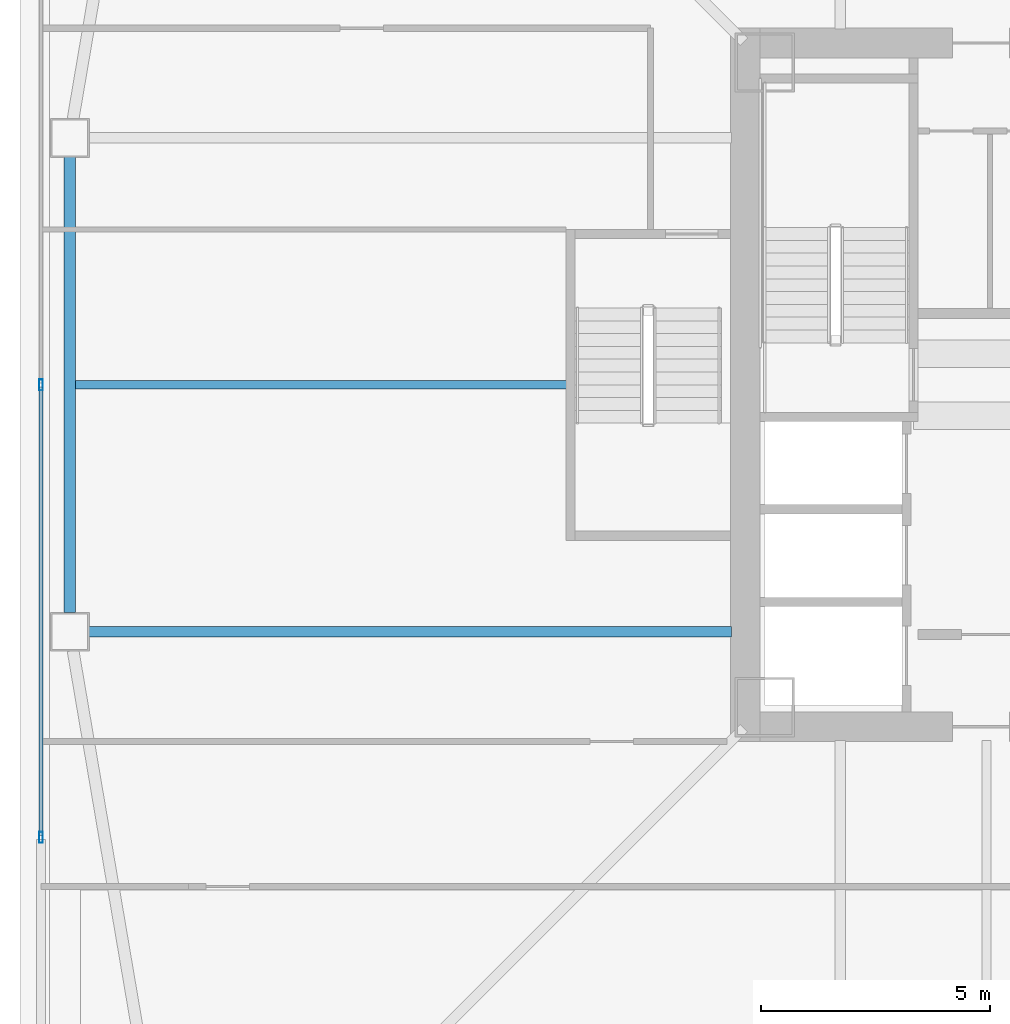
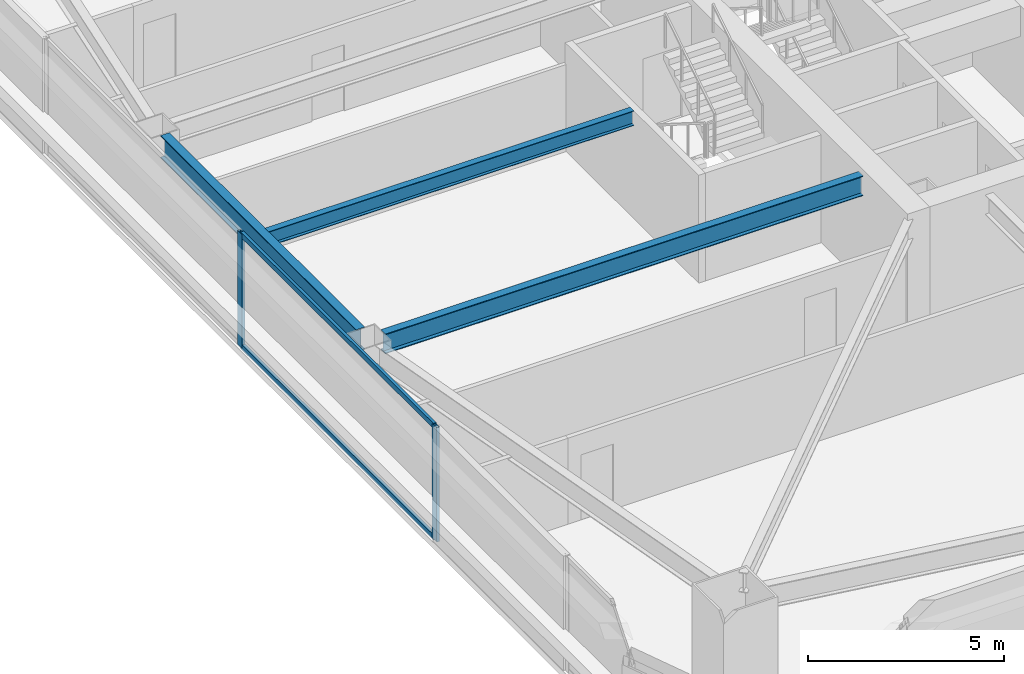
# One storey, part 7 of 48: 4 members, 3 beams, 1 element without a shape of its own.
"""IFC4 building model written with IfcOpenShell, lengths in metres."""

from ifc_helpers import new_model, si_unit, direction, frame, origin, origin_2d, place, context, subcontext, project, spatial, hollow_rectangle, i_section, extrude, material, material_profile, profile_set, type_object, element, aggregate, save


model = new_model("IFC4")

# Units and contexts
model_context = context("Model", 3, precision=1e-05, world=origin(), true_north=direction((0.0, 1.0)))
body_context = subcontext(model_context, "Body", "Model", "MODEL_VIEW")
ifc_project = project(units=[si_unit("LENGTHUNIT", "METRE"), si_unit("AREAUNIT", "SQUARE_METRE"), si_unit("VOLUMEUNIT", "CUBIC_METRE"), si_unit("PLANEANGLEUNIT", "RADIAN"), si_unit("MASSUNIT", "GRAM", prefix="KILO")], contexts=[model_context])

# Site, building, storey
site_placement = place(None, origin())
site = spatial("IfcSite", under=ifc_project, at=site_placement, CompositionType="ELEMENT")
building_placement = place(site_placement, origin())
building = spatial("IfcBuilding", under=site, at=building_placement, Name="Tashvorn Skyway Center", CompositionType="ELEMENT")
storey_placement = place(building_placement, frame((0.0, 0.0, 53.0)))
storey = spatial("IfcBuildingStorey", under=building, at=storey_placement, Name="L13", CompositionType="ELEMENT", Elevation=53.0)

# Beams
ifc_material_1 = material(Name="Steel ASTM A992 Grade 50", Category="steel")
ifc_material_profile_1 = material_profile(ifc_material_1, i_section(OverallWidth=0.22998046875, OverallDepth=0.616943359375, WebThickness=0.01318359375, FlangeThickness=0.022216796875, at=origin_2d()), Name="W24X94")
ifc_profile_set_1 = profile_set([ifc_material_profile_1], Name="Steel ASTM A992 Grade 50")
beam_type_1 = type_object("IfcBeamType", Name="BM-BEAM-W24X94", PredefinedType="BEAM", material=ifc_profile_set_1)
beam_1_placement = place(storey_placement, frame((20.169921875, 26.60009765625, 3.04150390625), z_axis=(1.0, 0.0, 0.0), x_axis=(0.0, 1.0, 0.0)))
element("IfcBeam", 1, at=beam_1_placement, inside=storey, type_object=beam_type_1, Name="Tower 1 L13 Primary Floor Girder FC-W2", PredefinedType="BEAM", context=body_context, shape_type="SweptSolid", body=[
    extrude(i_section(OverallWidth=0.22998046875, OverallDepth=0.616943359375, WebThickness=0.01318359375, FlangeThickness=0.022216796875, at=origin_2d()), origin(), (0.0, 0.0, 1.0), 14.050048828125),
])
ifc_material_profile_2 = material_profile(ifc_material_1, i_section(OverallWidth=0.19091796875, OverallDepth=0.4599609375, WebThickness=0.010009765625, FlangeThickness=0.01611328125, at=origin_2d()), Name="W18X55")
ifc_profile_set_2 = profile_set([ifc_material_profile_2], Name="Steel ASTM A992 Grade 50")
beam_type_2 = type_object("IfcBeamType", Name="BM-JOIST-W18X55", PredefinedType="JOIST", material=ifc_profile_set_2)
beam_2_placement = place(storey_placement, frame((30.610107421875, 32.0, 3.1201171875), z_axis=(-1.0, 0.0, 0.0), x_axis=(0.0, -1.0, 0.0)))
element("IfcBeam", 2, at=beam_2_placement, inside=storey, type_object=beam_type_2, Name="Tower 1 L13 Secondary Composite Joist JW", PredefinedType="JOIST", context=body_context, shape_type="SweptSolid", body=[
    extrude(i_section(OverallWidth=0.19091796875, OverallDepth=0.4599609375, WebThickness=0.010009765625, FlangeThickness=0.01611328125, at=origin_2d()), origin(), (0.0, 0.0, 1.0), 10.739990234375),
])
ifc_material_profile_3 = material_profile(ifc_material_1, i_section(OverallWidth=0.256103515625, OverallDepth=0.693115234375, WebThickness=0.014404296875, FlangeThickness=0.023681640625, at=origin_2d()), Name="W27X114")
ifc_profile_set_3 = profile_set([ifc_material_profile_3], Name="Steel ASTM A992 Grade 50")
beam_type_3 = type_object("IfcBeamType", Name="BM-SPANDREL-W27X114", PredefinedType="SPANDREL", material=ifc_profile_set_3)
beam_3_placement = place(storey_placement, frame((19.75, 36.97998046875, 3.00341796875), z_axis=(0.0, -1.0, 0.0), x_axis=(1.0, 0.0, 0.0)))
element("IfcBeam", 3, at=beam_3_placement, inside=storey, type_object=beam_type_3, Name="Tower 1 L13 Spandrel Beam 11", PredefinedType="SPANDREL", context=body_context, shape_type="SweptSolid", body=[
    extrude(i_section(OverallWidth=0.256103515625, OverallDepth=0.693115234375, WebThickness=0.014404296875, FlangeThickness=0.023681640625, at=origin_2d()), origin(), (0.0, 0.0, 1.0), 9.9599609375),
])

# Curtain wall, members
ifc_material_2 = material(Name="Thermally broken bronze-anodized aluminium 6063-T6", Category="aluminium")
curtain_wall_type = type_object("IfcCurtainWallType", Name="CW-CW-Z1", PredefinedType="NOTDEFINED", material=ifc_material_2)
curtain_wall_placement = place(storey_placement, origin())
curtain_wall = element("IfcCurtainWall", 4, at=curtain_wall_placement, inside=storey, type_object=curtain_wall_type, Name="Tower 1 L13 West Unitised Curtain Wall Glazing Group 2", PredefinedType="NOTDEFINED")
ifc_material_profile_4 = material_profile(ifc_material_2, hollow_rectangle(XDim=0.0849609375, YDim=0.239990234375, WallThickness=0.0048828125, at=origin_2d()), Name="ALU-MULL-85x240")
ifc_profile_set_4 = profile_set([ifc_material_profile_4], Name="Thermally broken bronze-anodized aluminium 6063-T6")
member_type_1 = type_object("IfcMemberType", Name="CWM-CW-Z1", PredefinedType="MULLION", material=ifc_profile_set_4)
member_1_placement = place(storey_placement, frame((19.1201171875, 22.1025390625, 0.0), z_axis=(0.0, 0.0, 1.0), x_axis=(-1.0, 0.0, 0.0)))
member_1 = element("IfcMember", 5, at=member_1_placement, type_object=member_type_1, Name="CW-Z1 mullion 1", PredefinedType="MULLION", context=body_context, shape_type="SweptSolid", body=[
    extrude(hollow_rectangle(XDim=0.0849609375, YDim=0.239990234375, WallThickness=0.0048828125, at=origin_2d()), origin(), (0.0, 0.0, 1.0), 3.550048828125),
])
member_2_placement = place(storey_placement, frame((19.1201171875, 32.0, 0.0), z_axis=(0.0, 0.0, 1.0), x_axis=(-1.0, 0.0, 0.0)))
member_2 = element("IfcMember", 6, at=member_2_placement, type_object=member_type_1, Name="CW-Z1 mullion 2", PredefinedType="MULLION", context=body_context, shape_type="SweptSolid", body=[
    extrude(hollow_rectangle(XDim=0.0849609375, YDim=0.239990234375, WallThickness=0.0048828125, at=origin_2d()), origin(), (0.0, 0.0, 1.0), 3.550048828125),
])
ifc_material_profile_5 = material_profile(ifc_material_2, hollow_rectangle(XDim=0.0849609375, YDim=0.1650390625, WallThickness=0.0048828125, at=origin_2d()), Name="ALU-TRAN-85x165")
ifc_profile_set_5 = profile_set([ifc_material_profile_5], Name="Thermally broken bronze-anodized aluminium 6063-T6")
member_type_2 = type_object("IfcMemberType", Name="CWT-CW-Z1", PredefinedType="USERDEFINED", material=ifc_profile_set_5)
member_3_placement = place(storey_placement, frame((19.1201171875, 22.14501953125, 0.04248046875), z_axis=(0.0, 1.0, 0.0), x_axis=(-1.0, 0.0, 0.0)))
member_3 = element("IfcMember", 7, at=member_3_placement, type_object=member_type_2, Name="CW-Z1 transom 1.1", ObjectType="TRANSOM", PredefinedType="USERDEFINED", context=body_context, shape_type="SweptSolid", body=[
    extrude(hollow_rectangle(XDim=0.0849609375, YDim=0.1650390625, WallThickness=0.0048828125, at=origin_2d()), origin(), (0.0, 0.0, 1.0), 9.8125),
])
member_4_placement = place(storey_placement, frame((19.1201171875, 22.14501953125, 3.507568359375), z_axis=(0.0, 1.0, 0.0), x_axis=(-1.0, 0.0, 0.0)))
member_4 = element("IfcMember", 8, at=member_4_placement, type_object=member_type_2, Name="CW-Z1 transom 1.2", ObjectType="TRANSOM", PredefinedType="USERDEFINED", context=body_context, shape_type="SweptSolid", body=[
    extrude(hollow_rectangle(XDim=0.0849609375, YDim=0.1650390625, WallThickness=0.0048828125, at=origin_2d()), origin(), (0.0, 0.0, 1.0), 9.8125),
])
aggregate(curtain_wall, [member_1, member_2, member_3, member_4])

save(model, "model.ifc")
